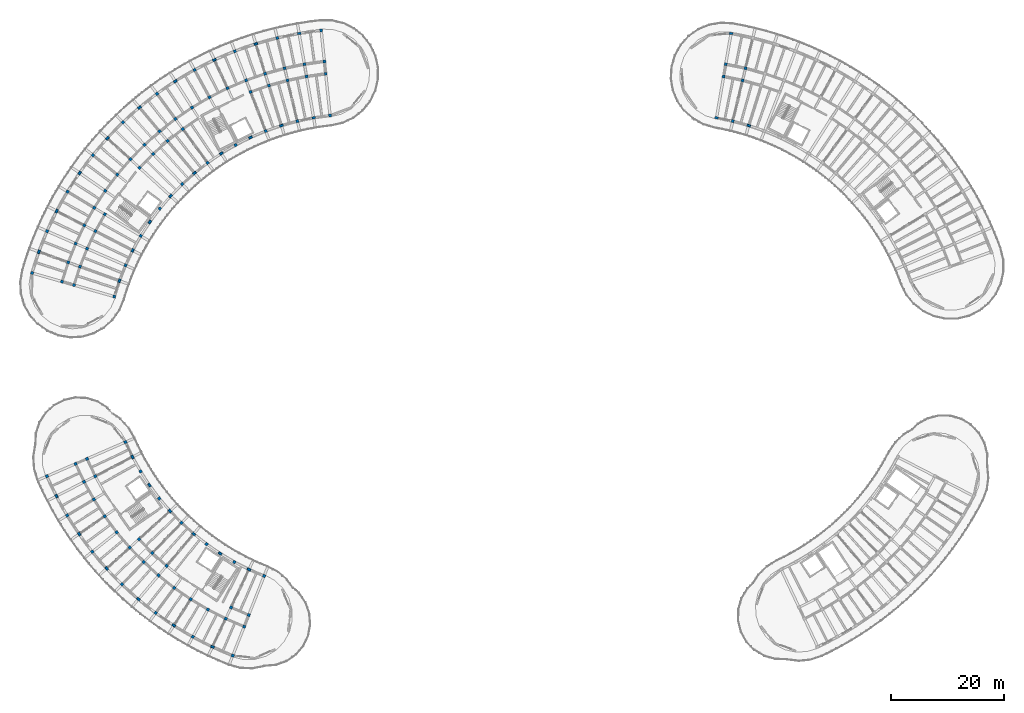
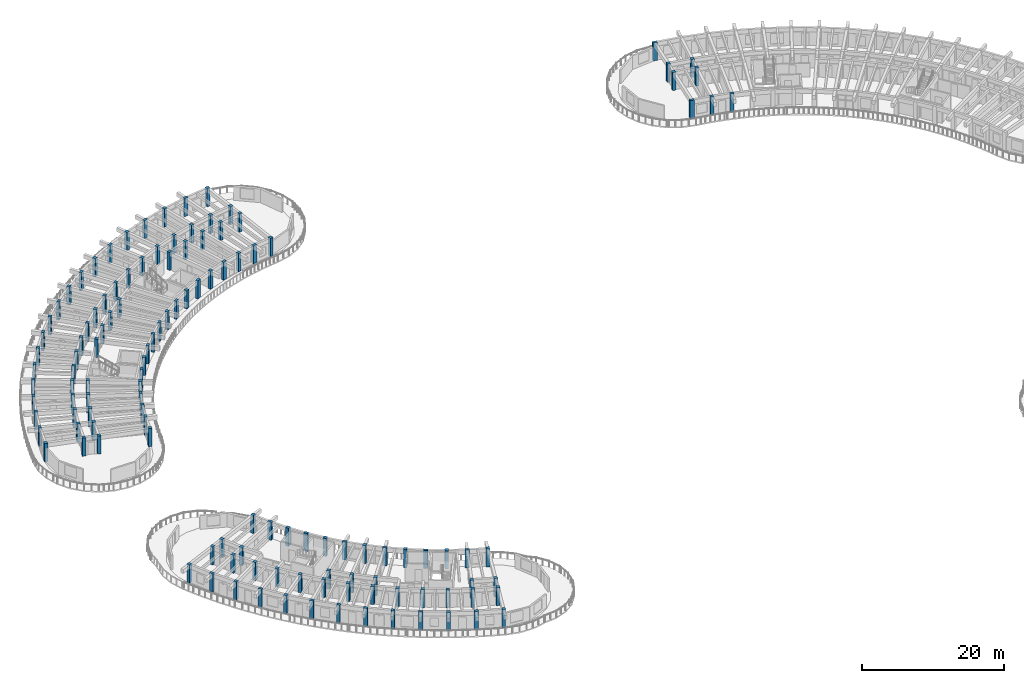
# One storey, part 1 of 56: 125 columns.
"""IFC4 building model written with IfcOpenShell, lengths in metres."""

import ifcopenshell
import ifcopenshell.guid

model = None  # the IFC model being written
_history = None  # IfcOwnerHistory: only IFC2X3 demands one
_inside = {}  # id of a spatial element -> (the spatial element, [elements in it])
_under = {}  # id of a project, library or spatial element -> (it, [spatial elements below it])
_declared = {}  # id of a project -> (the project, [libraries it declares])
_typed = {}  # id of a type object -> (the type object, [elements of that type])
_made_of = {}  # id of a material, layer set ... -> (it, [elements and type objects made of it])


def new_model(schema):
    """Start an empty IFC model of exactly this schema.

    Asked for "IFC4X3", IfcOpenShell would pick the latest addendum, in which some entities
    have other attributes; the version numbers below select the first issue.
    IFC2X3 requires an IfcOwnerHistory on every rooted entity: one is made here for all.
    """
    global model, _history
    if schema == "IFC4X3":
        model = ifcopenshell.file(schema_version=(4, 3, 0, 0))
    else:
        model = ifcopenshell.file(schema=schema)
    _inside.clear()
    _under.clear()
    _declared.clear()
    _typed.clear()
    _made_of.clear()
    _history = None
    if model.schema == "IFC2X3":
        org = make("IfcOrganization", Name="unknown")
        user = make(
            "IfcPersonAndOrganization",
            ThePerson=make("IfcPerson", FamilyName="unknown"),
            TheOrganization=org,
        )
        app = make(
            "IfcApplication",
            ApplicationDeveloper=org,
            Version="unknown",
            ApplicationFullName="unknown",
            ApplicationIdentifier="unknown",
        )
        _history = make(
            "IfcOwnerHistory",
            OwningUser=user,
            OwningApplication=app,
            ChangeAction="ADDED",
            CreationDate=0,
        )
    return model


def make(cls, **values):
    """One entity of the class cls with the attributes given. An attribute that is None is left unset."""
    return model.create_entity(
        cls, **{name: value for name, value in values.items() if value is not None}
    )


def rooted(cls, **values):
    """An entity with a GlobalId (a new one), such as an element, a storey or a relation."""
    return make(cls, GlobalId=ifcopenshell.guid.new(), OwnerHistory=_history, **values)


def si_unit(unit_type, name, prefix=None):
    """IfcSIUnit, for example si_unit("LENGTHUNIT", "METRE", prefix="MILLI")."""
    return make("IfcSIUnit", UnitType=unit_type, Prefix=prefix, Name=name)


def assignment(units):
    """IfcUnitAssignment: the units of a project."""
    return None if units is None else make("IfcUnitAssignment", Units=units)


def point(xyz):
    """IfcCartesianPoint."""
    return None if xyz is None else make("IfcCartesianPoint", Coordinates=xyz)


def direction(xyz):
    """IfcDirection."""
    return None if xyz is None else make("IfcDirection", DirectionRatios=xyz)


def frame(location, z_axis=None, x_axis=None):
    """IfcAxis2Placement3D, a coordinate frame: its origin and axes. An axis left out is left unset."""
    return make(
        "IfcAxis2Placement3D",
        Location=point(location),
        Axis=direction(z_axis),
        RefDirection=direction(x_axis),
    )


def frame_2d(location, x_axis=None):
    """IfcAxis2Placement2D, a coordinate frame in the plane: its origin and x axis."""
    return make(
        "IfcAxis2Placement2D", Location=point(location), RefDirection=direction(x_axis)
    )


def origin():
    """The frame at (0, 0, 0) with its axes left unset."""
    return frame((0.0, 0.0, 0.0))


def origin_2d():
    """The frame at (0, 0) in the plane with its x axis left unset."""
    return frame_2d((0.0, 0.0))


def place(relative_to, where):
    """IfcLocalPlacement: puts the frame where relative to a parent placement (None: the world)."""
    return make(
        "IfcLocalPlacement", PlacementRelTo=relative_to, RelativePlacement=where
    )


def context(
    kind, dimensions, precision=None, world=None, true_north=None, identifier=None
):
    """IfcGeometricRepresentationContext, for example the 3D "Model" context."""
    return make(
        "IfcGeometricRepresentationContext",
        ContextIdentifier=identifier,
        ContextType=kind,
        CoordinateSpaceDimension=dimensions,
        Precision=precision,
        WorldCoordinateSystem=world,
        TrueNorth=true_north,
    )


def subcontext(parent, identifier, kind, view, scale=None):
    """IfcGeometricRepresentationSubContext, for example "Body" below "Model"."""
    return make(
        "IfcGeometricRepresentationSubContext",
        ContextIdentifier=identifier,
        ContextType=kind,
        ParentContext=parent,
        TargetScale=scale,
        TargetView=view,
    )


def project(units=None, contexts=None):
    """IfcProject with its units and contexts."""
    return rooted(
        "IfcProject",
        Name="project",
        RepresentationContexts=contexts,
        UnitsInContext=assignment(units),
    )


def spatial(cls, under=None, at=None, **own):
    """A site, building, storey or space (cls), placed at a placement, below another one or the project."""
    s = rooted(cls, ObjectPlacement=at, **own)
    if under is not None:
        _under.setdefault(under.id(), (under, []))[1].append(s)
    return s


def profile(cls, at=None, kind="AREA", **sizes):
    """A parametric profile (cls). Its sizes go by their IFC names, for example OverallWidth=200.0."""
    return make(cls, ProfileType=kind, Position=at, **sizes)


def rectangle(**sizes):
    """IfcRectangleProfileDef."""
    return profile("IfcRectangleProfileDef", **sizes)


def extrude(swept, where, along, depth):
    """IfcExtrudedAreaSolid: the profile swept, set in the frame where, extruded along a direction by depth."""
    return make(
        "IfcExtrudedAreaSolid",
        SweptArea=swept,
        Position=where,
        ExtrudedDirection=direction(along),
        Depth=depth,
    )


def shape(context_of_items, identifier, shape_type, items):
    """IfcShapeRepresentation: the items that make up one representation, for example the "Body"."""
    return make(
        "IfcShapeRepresentation",
        ContextOfItems=context_of_items,
        RepresentationIdentifier=identifier,
        RepresentationType=shape_type,
        Items=items,
    )


def material(Name=None, Category=None):
    """IfcMaterial."""
    return make("IfcMaterial", Name=Name, Category=Category)


def material_profile(
    of_material, cross_section, Name=None, Category=None, Priority=None
):
    """IfcMaterialProfile: a cross section and its material."""
    return make(
        "IfcMaterialProfile",
        Name=Name,
        Material=of_material,
        Profile=cross_section,
        Priority=Priority,
        Category=Category,
    )


def profile_set(profiles, Name=None, composite=None):
    """IfcMaterialProfileSet."""
    return make(
        "IfcMaterialProfileSet",
        Name=Name,
        MaterialProfiles=profiles,
        CompositeProfile=composite,
    )


def made_of(thing, what):
    """Note that an element or type object is made of a material, layer set ...; save() writes the relation."""
    if what is not None:
        _made_of.setdefault(what.id(), (what, []))[1].append(thing)
    return thing


def type_object(cls, material=None, **own):
    """A type object (cls), such as IfcWallType, which elements share."""
    return made_of(rooted(cls, **own), material)


def element(
    cls,
    number,
    at=None,
    inside=None,
    cuts=None,
    type_object=None,
    material=None,
    context=None,
    identifier="Body",
    shape_type=None,
    held_by="IfcProductDefinitionShape",
    body=None,
    shapes=None,
    **own,
):
    """One element of the class cls, such as IfcWall. Its Tag is "e" and its number.

    at: its placement. inside: the storey or other place that contains it. cuts: it is an
    opening in that element (IfcRelVoidsElement). A single representation is given by context,
    identifier, shape_type and body (its items); several are given by shapes. held_by: the class
    of the entity that holds the representations. save() writes the other relations.
    """
    e = rooted(cls, Tag="e%d" % number, ObjectPlacement=at, **own)
    if body is not None:
        shapes = [shape(context, identifier, shape_type, body)]
    if shapes is not None:
        e.Representation = make(held_by, Representations=shapes)
    if inside is not None:
        _inside.setdefault(inside.id(), (inside, []))[1].append(e)
    if cuts is not None:
        rooted(
            "IfcRelVoidsElement", RelatingBuildingElement=cuts, RelatedOpeningElement=e
        )
    if type_object is not None:
        _typed.setdefault(type_object.id(), (type_object, []))[1].append(e)
    return made_of(e, material)


def aggregate(whole, parts):
    """IfcRelAggregates: a whole, such as a stair, and the parts it consists of."""
    return rooted("IfcRelAggregates", RelatingObject=whole, RelatedObjects=parts)


def save(model, path):
    """Write the relations noted so far, then the file.

    IfcRelAggregates (storeys below a building ...), IfcRelContainedInSpatialStructure (elements
    in a storey), IfcRelDefinesByType, IfcRelAssociatesMaterial and IfcRelDeclares: one each for
    every whole, place, type object, material and project.
    """
    for whole, parts in _under.values():
        aggregate(whole, parts)
    for where, things in _inside.values():
        rooted(
            "IfcRelContainedInSpatialStructure",
            RelatedElements=things,
            RelatingStructure=where,
        )
    for kind, things in _typed.values():
        rooted("IfcRelDefinesByType", RelatedObjects=things, RelatingType=kind)
    for what, things in _made_of.values():
        rooted("IfcRelAssociatesMaterial", RelatedObjects=things, RelatingMaterial=what)
    for by, libraries in _declared.values():
        rooted("IfcRelDeclares", RelatingContext=by, RelatedDefinitions=libraries)
    model.write(path)


model = new_model("IFC4")

# Units and contexts
model_context = context("Model", 3, precision=1e-05, world=origin(), true_north=direction((0.0, 1.0)))
body_context = subcontext(model_context, "Body", "Model", "MODEL_VIEW")
ifc_project = project(units=[si_unit("LENGTHUNIT", "METRE"), si_unit("AREAUNIT", "SQUARE_METRE"), si_unit("VOLUMEUNIT", "CUBIC_METRE"), si_unit("PLANEANGLEUNIT", "RADIAN"), si_unit("MASSUNIT", "GRAM", prefix="KILO")], contexts=[model_context])

# Site, building, storey
site_placement = place(None, origin())
site = spatial("IfcSite", under=ifc_project, at=site_placement, CompositionType="ELEMENT")
building_placement = place(site_placement, origin())
building = spatial("IfcBuilding", under=site, at=building_placement, Name="Tanwirah Colonnade Gardens", CompositionType="ELEMENT")
storey_placement = place(building_placement, frame((0.0, 0.0, 29.0)))
storey = spatial("IfcBuildingStorey", under=building, at=storey_placement, Name="L08", CompositionType="ELEMENT", Elevation=29.0)

# Columns
ifc_material = material(Name="Precast concrete C40/50", Category="concrete")
ifc_material_profile_1 = material_profile(ifc_material, rectangle(XDim=0.510009765625, YDim=0.510009765625, at=origin_2d()), Name="PC-COL 510x510")
ifc_profile_set_1 = profile_set([ifc_material_profile_1], Name="Precast concrete C40/50")
column_type_1 = type_object("IfcColumnType", Name="C-PC420", PredefinedType="COLUMN", material=ifc_profile_set_1)
for number, where, z_axis, x_axis, name in (
    (1, (24.236572265625, 46.775634765625, 0.0), (0.0, 0.0, 1.0), (-0.917060074385, -0.398749068925, 0.0), "Block C L08 Column 2-R0"),
    (2, (17.450439453125, 43.824951171875, 0.0), (0.0, 0.0, 1.0), (-0.917060074385, -0.398749068925, 0.0), "Block C L08 Column 2-R1"),
    (3, (15.432861328125, 42.947509765625, 0.0), (0.0, 0.0, 1.0), (-0.917060074385, -0.398749068925, 0.0), "Block C L08 Column 2-R2"),
    (4, (10.38916015625, 40.75439453125, 0.0), (0.0, 0.0, 1.0), (-0.917060074385, -0.398749068925, 0.0), "Block C L08 Column 2-R3"),
    (5, (18.904541015625, 40.75927734375, 0.0), (0.0, 0.0, 1.0), (-0.889017141486, -0.457873915117, 0.0), "Block C L08 Column 3-R1"),
    (6, (16.94873046875, 39.751953125, 0.0), (0.0, 0.0, 1.0), (-0.889017141486, -0.457873915117, 0.0), "Block C L08 Column 3-R2"),
    (7, (26.89892578125, 41.6064453125, 0.0), (0.0, 0.0, 1.0), (-0.857167300702, -0.51503807491, 0.0), "Block C L08 Column 4-R0"),
    (8, (18.670166015625, 36.662109375, 0.0), (0.0, 0.0, 1.0), (-0.857167300702, -0.51503807491, 0.0), "Block C L08 Column 4-R2"),
    (9, (13.95556640625, 33.82958984375, 0.0), (0.0, 0.0, 1.0), (-0.857167300702, -0.51503807491, 0.0), "Block C L08 Column 4-R3"),
    (10, (20.590087890625, 33.691650390625, 0.0), (0.0, 0.0, 1.0), (-0.821646937942, -0.569996762596, 0.0), "Block C L08 Column 5-R2"),
    (11, (30.213134765625, 36.829345703125, 0.0), (0.0, 0.0, 1.0), (-0.782608156852, -0.622514636638, 0.0), "Block C L08 Column 6-R0"),
    (12, (22.699951171875, 30.85302734375, 0.0), (0.0, 0.0, 1.0), (-0.782608156852, -0.622514636638, 0.0), "Block C L08 Column 6-R2"),
    (13, (18.395751953125, 27.42919921875, 0.0), (0.0, 0.0, 1.0), (-0.782608156852, -0.622514636638, 0.0), "Block C L08 Column 6-R3"),
    (14, (26.61962890625, 29.6376953125, 0.0), (0.0, 0.0, 1.0), (-0.740218127487, -0.672366807435, 0.0), "Block C L08 Column 7-R1"),
    (15, (24.9912109375, 28.15869140625, 0.0), (0.0, 0.0, 1.0), (-0.740218127487, -0.672366807435, 0.0), "Block C L08 Column 7-R2"),
    (16, (34.122314453125, 32.525390625, 0.0), (0.0, 0.0, 1.0), (-0.694658370459, -0.719339800339, 0.0), "Block C L08 Column 8-R0"),
    (17, (28.98193359375, 27.2021484375, 0.0), (0.0, 0.0, 1.0), (-0.694658370459, -0.719339800339, 0.0), "Block C L08 Column 8-R1"),
    (18, (27.45361328125, 25.61962890625, 0.0), (0.0, 0.0, 1.0), (-0.694658370459, -0.719339800339, 0.0), "Block C L08 Column 8-R2"),
    (19, (23.633056640625, 21.663330078125, 0.0), (0.0, 0.0, 1.0), (-0.694658370459, -0.719339800339, 0.0), "Block C L08 Column 8-R3"),
    (20, (31.49853515625, 24.926513671875, 0.0), (0.0, 0.0, 1.0), (-0.646123979643, -0.763232469783, 0.0), "Block C L08 Column 9-R1"),
    (21, (30.076904296875, 23.247314453125, 0.0), (0.0, 0.0, 1.0), (-0.646123979643, -0.763232469783, 0.0), "Block C L08 Column 9-R2"),
    (22, (38.56005859375, 28.7685546875, 0.0), (0.0, 0.0, 1.0), (-0.594822786751, -0.803856860617, 0.0), "Block C L08 Column 10-R0"),
    (23, (32.849853515625, 21.051513671875, 0.0), (0.0, 0.0, 1.0), (-0.594822786751, -0.803856860617, 0.0), "Block C L08 Column 10-R2"),
    (24, (29.578369140625, 16.63037109375, 0.0), (0.0, 0.0, 1.0), (-0.594822786751, -0.803856860617, 0.0), "Block C L08 Column 10-R3"),
    (25, (35.76025390625, 19.041748046875, 0.0), (0.0, 0.0, 1.0), (-0.540974471368, -0.841039012964, 0.0), "Block C L08 Column 11-R2"),
    (26, (43.4501953125, 25.623046875, 0.0), (0.0, 0.0, 1.0), (-0.484809620246, -0.874619707139, 0.0), "Block C L08 Column 12-R0"),
    (27, (38.796142578125, 17.226806640625, 0.0), (0.0, 0.0, 1.0), (-0.484809620246, -0.874619707139, 0.0), "Block C L08 Column 12-R2"),
    (28, (36.129638671875, 12.41650390625, 0.0), (0.0, 0.0, 1.0), (-0.484809620246, -0.874619707139, 0.0), "Block C L08 Column 12-R3"),
    (29, (42.88232421875, 17.60400390625, 0.0), (0.0, 0.0, 1.0), (-0.426568739901, -0.904455145454, 0.0), "Block C L08 Column 13-R1"),
    (30, (41.94384765625, 15.6142578125, 0.0), (0.0, 0.0, 1.0), (-0.426568739901, -0.904455145454, 0.0), "Block C L08 Column 13-R2"),
    (31, (48.708984375, 23.142822265625, 0.0), (0.0, 0.0, 1.0), (-0.366501226724, -0.930417567982, 0.0), "Block C L08 Column 14-R0"),
    (32, (45.996826171875, 16.2578125, 0.0), (0.0, 0.0, 1.0), (-0.366501226724, -0.930417567982, 0.0), "Block C L08 Column 14-R1"),
    (33, (45.190673828125, 14.2109375, 0.0), (0.0, 0.0, 1.0), (-0.366501226724, -0.930417567982, 0.0), "Block C L08 Column 14-R2"),
    (34, (43.1748046875, 9.09375, 0.0), (0.0, 0.0, 1.0), (-0.366501226724, -0.930417567982, 0.0), "Block C L08 Column 14-R3"),
):
    element("IfcColumn", number, at=place(storey_placement, frame(where, z_axis=z_axis, x_axis=x_axis)), inside=storey, type_object=column_type_1, Name=name, PredefinedType="COLUMN", context=body_context, shape_type="SweptSolid", body=[
        extrude(rectangle(XDim=0.510009765625, YDim=0.510009765625, at=origin_2d()), origin(), (0.0, 0.0, 1.0), 3.114990234375),
    ])
ifc_material_profile_2 = material_profile(ifc_material, rectangle(XDim=0.5, YDim=0.5, at=origin_2d()), Name="PC-COL 500x500")
ifc_profile_set_2 = profile_set([ifc_material_profile_2], Name="Precast concrete C40/50")
column_type_2 = type_object("IfcColumnType", Name="C-PC500", PredefinedType="COLUMN", material=ifc_profile_set_2)
for number, where, z_axis, x_axis, name in (
    (35, (60.353759765625, 104.406494140625, 0.0), (0.0, 0.0, 1.0), (-0.104528463268, 0.994521895368, 0.0), "Block A L08 Column 0-R0"),
    (36, (59.580078125, 111.765869140625, 0.0), (0.0, 0.0, 1.0), (-0.104528463268, 0.994521895368, 0.0), "Block A L08 Column 0-R1"),
    (37, (59.350341796875, 113.953857421875, 0.0), (0.0, 0.0, 1.0), (-0.104528463268, 0.994521895368, 0.0), "Block A L08 Column 0-R2"),
    (38, (58.775390625, 119.423828125, 0.0), (0.0, 0.0, 1.0), (-0.104528463268, 0.994521895368, 0.0), "Block A L08 Column 0-R3"),
    (39, (56.1943359375, 111.296875, 0.0), (0.0, 0.0, 1.0), (-0.169827298811, 0.985473839622, 0.0), "Block A L08 Column 1-R1"),
    (40, (55.82080078125, 113.46484375, 0.0), (0.0, 0.0, 1.0), (-0.169827298811, 0.985473839622, 0.0), "Block A L08 Column 1-R2"),
    (41, (54.58154296875, 103.411865234375, 0.0), (0.0, 0.0, 1.0), (-0.23438809799, 0.972143106503, 0.0), "Block A L08 Column 2-R0"),
    (42, (52.846923828125, 110.605712890625, 0.0), (0.0, 0.0, 1.0), (-0.23438809799, 0.972143106503, 0.0), "Block A L08 Column 2-R1"),
    (43, (52.331298828125, 112.744384765625, 0.0), (0.0, 0.0, 1.0), (-0.23438809799, 0.972143106503, 0.0), "Block A L08 Column 2-R2"),
    (44, (51.042236328125, 118.091064453125, 0.0), (0.0, 0.0, 1.0), (-0.23438809799, 0.972143106503, 0.0), "Block A L08 Column 2-R3"),
    (45, (49.55224609375, 109.6953125, 0.0), (0.0, 0.0, 1.0), (-0.297930292146, 0.954587628781, 0.0), "Block A L08 Column 3-R1"),
    (46, (48.89697265625, 111.79541015625, 0.0), (0.0, 0.0, 1.0), (-0.297930292146, 0.954587628781, 0.0), "Block A L08 Column 3-R2"),
    (47, (48.989990234375, 101.666748046875, 0.0), (0.0, 0.0, 1.0), (-0.360177739278, 0.932883699144, 0.0), "Block A L08 Column 4-R0"),
    (48, (46.32470703125, 108.570068359375, 0.0), (0.0, 0.0, 1.0), (-0.360177739278, 0.932883699144, 0.0), "Block A L08 Column 4-R1"),
    (49, (45.532470703125, 110.622314453125, 0.0), (0.0, 0.0, 1.0), (-0.360177739278, 0.932883699144, 0.0), "Block A L08 Column 4-R2"),
    (50, (43.551513671875, 115.753173828125, 0.0), (0.0, 0.0, 1.0), (-0.360177739278, 0.932883699144, 0.0), "Block A L08 Column 4-R3"),
    (51, (42.25244140625, 109.230224609375, 0.0), (0.0, 0.0, 1.0), (-0.420859924104, 0.907125638643, 0.0), "Block A L08 Column 5-R2"),
    (52, (43.6767578125, 99.20166015625, 0.0), (0.0, 0.0, 1.0), (-0.479713133669, 0.877425386791, 0.0), "Block A L08 Column 6-R0"),
    (53, (39.071533203125, 107.624755859375, 0.0), (0.0, 0.0, 1.0), (-0.479713133669, 0.877425386791, 0.0), "Block A L08 Column 6-R2"),
    (54, (36.43310546875, 112.45068359375, 0.0), (0.0, 0.0, 1.0), (-0.479713133669, 0.877425386791, 0.0), "Block A L08 Column 6-R3"),
    (55, (36.003173828125, 105.8134765625, 0.0), (0.0, 0.0, 1.0), (-0.536481603385, 0.843912015099, 0.0), "Block A L08 Column 7-R2"),
    (56, (38.733642578125, 96.05908203125, 0.0), (0.0, 0.0, 1.0), (-0.590918628541, 0.806731166153, 0.0), "Block A L08 Column 8-R0"),
    (57, (34.36083984375, 102.029052734375, 0.0), (0.0, 0.0, 1.0), (-0.590918628541, 0.806731166153, 0.0), "Block A L08 Column 8-R1"),
    (58, (33.060791015625, 103.8037109375, 0.0), (0.0, 0.0, 1.0), (-0.590918628541, 0.806731166153, 0.0), "Block A L08 Column 8-R2"),
    (59, (29.810791015625, 108.24072265625, 0.0), (0.0, 0.0, 1.0), (-0.590918628541, 0.806731166153, 0.0), "Block A L08 Column 8-R3"),
    (60, (31.67138671875, 99.91943359375, 0.0), (0.0, 0.0, 1.0), (-0.642787636427, 0.766044420681, 0.0), "Block A L08 Column 9-R1"),
    (61, (30.25732421875, 101.604736328125, 0.0), (0.0, 0.0, 1.0), (-0.642787636427, 0.766044420681, 0.0), "Block A L08 Column 9-R2"),
    (62, (34.24658203125, 92.294189453125, 0.0), (0.0, 0.0, 1.0), (-0.691863214436, 0.722028595355, 0.0), "Block A L08 Column 10-R0"),
    (63, (29.126953125, 97.63720703125, 0.0), (0.0, 0.0, 1.0), (-0.691863214436, 0.722028595355, 0.0), "Block A L08 Column 10-R1"),
    (64, (27.604736328125, 99.2255859375, 0.0), (0.0, 0.0, 1.0), (-0.691863214436, 0.722028595355, 0.0), "Block A L08 Column 10-R2"),
    (65, (23.799560546875, 103.19677734375, 0.0), (0.0, 0.0, 1.0), (-0.691863214436, 0.722028595355, 0.0), "Block A L08 Column 10-R3"),
    (66, (26.73828125, 95.1923828125, 0.0), (0.0, 0.0, 1.0), (-0.737932089665, 0.674874974378, 0.0), "Block A L08 Column 11-R1"),
    (67, (25.11474609375, 96.677001953125, 0.0), (0.0, 0.0, 1.0), (-0.737932089665, 0.674874974378, 0.0), "Block A L08 Column 11-R2"),
    (68, (30.293701171875, 87.971923828125, 0.0), (0.0, 0.0, 1.0), (-0.780794055756, 0.624788478204, 0.0), "Block A L08 Column 12-R0"),
    (69, (22.798095703125, 93.9697265625, 0.0), (0.0, 0.0, 1.0), (-0.780794055756, 0.624788478204, 0.0), "Block A L08 Column 12-R2"),
    (70, (18.503662109375, 97.40625, 0.0), (0.0, 0.0, 1.0), (-0.780794055756, 0.624788478204, 0.0), "Block A L08 Column 12-R3"),
    (71, (20.664794921875, 91.115966796875, 0.0), (0.0, 0.0, 1.0), (-0.82026284295, 0.57198677299, 0.0), "Block A L08 Column 13-R2"),
    (72, (26.943359375, 83.167236328125, 0.0), (0.0, 0.0, 1.0), (-0.856166927587, 0.516699324663, 0.0), "Block A L08 Column 14-R0"),
    (73, (20.607666015625, 86.990966796875, 0.0), (0.0, 0.0, 1.0), (-0.856166927587, 0.516699324663, 0.0), "Block A L08 Column 14-R1"),
    (74, (18.72412109375, 88.127685546875, 0.0), (0.0, 0.0, 1.0), (-0.856166927587, 0.516699324663, 0.0), "Block A L08 Column 14-R2"),
    (75, (14.015380859375, 90.969482421875, 0.0), (0.0, 0.0, 1.0), (-0.856166927587, 0.516699324663, 0.0), "Block A L08 Column 14-R3"),
    (76, (18.93896484375, 84.0078125, 0.0), (0.0, 0.0, 1.0), (-0.888350277506, 0.459166401705, 0.0), "Block A L08 Column 15-R1"),
    (77, (16.984619140625, 85.017822265625, 0.0), (0.0, 0.0, 1.0), (-0.888350277506, 0.459166401705, 0.0), "Block A L08 Column 15-R2"),
    (78, (24.25390625, 77.9638671875, 0.0), (0.0, 0.0, 1.0), (-0.916673030138, 0.399638030994, 0.0), "Block A L08 Column 16-R0"),
    (79, (17.470458984375, 80.921142578125, 0.0), (0.0, 0.0, 1.0), (-0.916673030138, 0.399638030994, 0.0), "Block A L08 Column 16-R1"),
    (80, (15.453857421875, 81.800537109375, 0.0), (0.0, 0.0, 1.0), (-0.916673030138, 0.399638030994, 0.0), "Block A L08 Column 16-R2"),
    (81, (10.412109375, 83.99853515625, 0.0), (0.0, 0.0, 1.0), (-0.916673030138, 0.399638030994, 0.0), "Block A L08 Column 16-R3"),
    (82, (16.20849609375, 77.74462890625, 0.0), (0.0, 0.0, 1.0), (-0.941012100316, 0.338372911236, 0.0), "Block A L08 Column 17-R1"),
    (83, (14.13818359375, 78.489013671875, 0.0), (0.0, 0.0, 1.0), (-0.941012100316, 0.338372911236, 0.0), "Block A L08 Column 17-R2"),
    (84, (22.27197265625, 72.4521484375, 0.0), (0.0, 0.0, 1.0), (-0.961261715181, 0.275637288708, 0.0), "Block A L08 Column 18-R0"),
    (85, (15.15869140625, 74.49169921875, 0.0), (0.0, 0.0, 1.0), (-0.961261715181, 0.275637288708, 0.0), "Block A L08 Column 18-R1"),
    (86, (13.043701171875, 75.09814453125, 0.0), (0.0, 0.0, 1.0), (-0.961261715181, 0.275637288708, 0.0), "Block A L08 Column 18-R2"),
    (87, (7.7568359375, 76.6142578125, 0.0), (0.0, 0.0, 1.0), (-0.961261715181, 0.275637288708, 0.0), "Block A L08 Column 18-R3"),
    (88, (131.41845703125, 103.411865234375, 0.0), (0.0, 0.0, 1.0), (0.234388030122, 0.972143122866, 0.0), "Block B L08 Column 16-R0"),
    (89, (133.153076171875, 110.605712890625, 0.0), (0.0, 0.0, 1.0), (0.234388030122, 0.972143122866, 0.0), "Block B L08 Column 16-R1"),
    (90, (133.668701171875, 112.744384765625, 0.0), (0.0, 0.0, 1.0), (0.234388030122, 0.972143122866, 0.0), "Block B L08 Column 16-R2"),
    (91, (129.8056640625, 111.296875, 0.0), (0.0, 0.0, 1.0), (0.169827230012, 0.985473851478, 0.0), "Block B L08 Column 17-R1"),
    (92, (130.17919921875, 113.46484375, 0.0), (0.0, 0.0, 1.0), (0.169827230012, 0.985473851478, 0.0), "Block B L08 Column 17-R2"),
):
    element("IfcColumn", number, at=place(storey_placement, frame(where, z_axis=z_axis, x_axis=x_axis)), inside=storey, type_object=column_type_2, Name=name, PredefinedType="COLUMN", context=body_context, shape_type="SweptSolid", body=[
        extrude(rectangle(XDim=0.5, YDim=0.5, at=origin_2d()), origin(), (0.0, 0.0, 1.0), 3.114990234375),
    ])
ifc_material_profile_3 = material_profile(ifc_material, rectangle(XDim=0.389892578125, YDim=0.6298828125, at=origin_2d()), Name="PC-PIL 390x630")
ifc_profile_set_3 = profile_set([ifc_material_profile_3], Name="Precast concrete C40/50")
column_type_3 = type_object("IfcColumnType", Name="PIL-360", PredefinedType="PILASTER", material=ifc_profile_set_3)
for number, where, z_axis, x_axis, name in (
    (93, (57.451171875, 104.00439453125, 0.0), (0.0, 0.0, 1.0), (-0.169827298811, 0.985473839622, 0.0), "Block A L08 Column 1-R0"),
    (94, (54.88671875, 118.885009765625, 0.0), (0.0, 0.0, 1.0), (-0.169827298811, 0.985473839622, 0.0), "Block A L08 Column 1-R3"),
    (95, (51.757080078125, 102.63134765625, 0.0), (0.0, 0.0, 1.0), (-0.297930292146, 0.954587628781, 0.0), "Block A L08 Column 3-R0"),
    (96, (47.25830078125, 117.045654296875, 0.0), (0.0, 0.0, 1.0), (-0.297930292146, 0.954587628781, 0.0), "Block A L08 Column 3-R3"),
    (97, (46.292724609375, 100.521728515625, 0.0), (0.0, 0.0, 1.0), (-0.420859924104, 0.907125638643, 0.0), "Block A L08 Column 5-R0"),
    (98, (39.937744140625, 114.21923828125, 0.0), (0.0, 0.0, 1.0), (-0.420859924104, 0.907125638643, 0.0), "Block A L08 Column 5-R3"),
    (99, (41.1533203125, 97.7119140625, 0.0), (0.0, 0.0, 1.0), (-0.536481603385, 0.843912015099, 0.0), "Block A L08 Column 7-R0"),
    (100, (33.052490234375, 110.455078125, 0.0), (0.0, 0.0, 1.0), (-0.536481603385, 0.843912015099, 0.0), "Block A L08 Column 7-R3"),
    (101, (36.427978515625, 94.250732421875, 0.0), (0.0, 0.0, 1.0), (-0.642787636427, 0.766044420681, 0.0), "Block A L08 Column 9-R0"),
    (102, (26.721923828125, 105.81787109375, 0.0), (0.0, 0.0, 1.0), (-0.642787636427, 0.766044420681, 0.0), "Block A L08 Column 9-R3"),
    (103, (32.198974609375, 90.1982421875, 0.0), (0.0, 0.0, 1.0), (-0.737932089665, 0.674874974378, 0.0), "Block A L08 Column 11-R0"),
    (104, (21.05615234375, 100.388916015625, 0.0), (0.0, 0.0, 1.0), (-0.737932089665, 0.674874974378, 0.0), "Block A L08 Column 11-R3"),
    (105, (28.539306640625, 85.624755859375, 0.0), (0.0, 0.0, 1.0), (-0.82026284295, 0.57198677299, 0.0), "Block A L08 Column 13-R0"),
    (106, (16.1533203125, 94.26171875, 0.0), (0.0, 0.0, 1.0), (-0.82026284295, 0.57198677299, 0.0), "Block A L08 Column 13-R3"),
    (107, (25.512939453125, 80.60986328125, 0.0), (0.0, 0.0, 1.0), (-0.888350277506, 0.459166401705, 0.0), "Block A L08 Column 15-R0"),
    (108, (12.0986328125, 87.54345703125, 0.0), (0.0, 0.0, 1.0), (-0.888350277506, 0.459166401705, 0.0), "Block A L08 Column 15-R3"),
    (109, (23.172119140625, 75.24072265625, 0.0), (0.0, 0.0, 1.0), (-0.941012100316, 0.338372911236, 0.0), "Block A L08 Column 17-R0"),
    (110, (8.962646484375, 80.35009765625, 0.0), (0.0, 0.0, 1.0), (-0.941012100316, 0.338372911236, 0.0), "Block A L08 Column 17-R3"),
    (111, (134.242919921875, 102.63134765625, 0.0), (0.0, 0.0, 1.0), (0.297930225503, 0.954587649581, 0.0), "Block B L08 Column 15-R0"),
    (112, (128.548828125, 104.00439453125, 0.0), (0.0, 0.0, 1.0), (0.169827230012, 0.985473851478, 0.0), "Block B L08 Column 17-R0"),
    (113, (131.11328125, 118.885009765625, 0.0), (0.0, 0.0, 1.0), (0.169827230012, 0.985473851478, 0.0), "Block B L08 Column 17-R3"),
    (114, (25.483154296875, 44.1474609375, 0.0), (0.0, 0.0, 1.0), (-0.889017141486, -0.457873915117, 0.0), "Block C L08 Column 3-R0"),
    (115, (12.05908203125, 37.233642578125, 0.0), (0.0, 0.0, 1.0), (-0.889017141486, -0.457873915117, 0.0), "Block C L08 Column 3-R3"),
    (116, (28.477783203125, 39.16357421875, 0.0), (0.0, 0.0, 1.0), (-0.821646937942, -0.569996762596, 0.0), "Block C L08 Column 5-R0"),
    (117, (16.071044921875, 30.556640625, 0.0), (0.0, 0.0, 1.0), (-0.821646937942, -0.569996762596, 0.0), "Block C L08 Column 5-R3"),
    (118, (32.097412109375, 34.61328125, 0.0), (0.0, 0.0, 1.0), (-0.740218127487, -0.672366807435, 0.0), "Block C L08 Column 7-R0"),
    (119, (20.919921875, 24.46044921875, 0.0), (0.0, 0.0, 1.0), (-0.740218127487, -0.672366807435, 0.0), "Block C L08 Column 7-R3"),
    (120, (36.27978515625, 30.57421875, 0.0), (0.0, 0.0, 1.0), (-0.646123979643, -0.763232469783, 0.0), "Block C L08 Column 9-R0"),
    (121, (26.5234375, 19.049560546875, 0.0), (0.0, 0.0, 1.0), (-0.646123979643, -0.763232469783, 0.0), "Block C L08 Column 9-R3"),
    (122, (40.95361328125, 27.11572265625, 0.0), (0.0, 0.0, 1.0), (-0.540974471368, -0.841039012964, 0.0), "Block C L08 Column 11-R0"),
    (123, (32.784912109375, 14.416015625, 0.0), (0.0, 0.0, 1.0), (-0.540974471368, -0.841039012964, 0.0), "Block C L08 Column 11-R3"),
    (124, (46.0390625, 24.296875, 0.0), (0.0, 0.0, 1.0), (-0.426568739901, -0.904455145454, 0.0), "Block C L08 Column 13-R0"),
    (125, (39.597900390625, 10.6396484375, 0.0), (0.0, 0.0, 1.0), (-0.426568739901, -0.904455145454, 0.0), "Block C L08 Column 13-R3"),
):
    element("IfcColumn", number, at=place(storey_placement, frame(where, z_axis=z_axis, x_axis=x_axis)), inside=storey, type_object=column_type_3, Name=name, PredefinedType="PILASTER", context=body_context, shape_type="SweptSolid", body=[
        extrude(rectangle(XDim=0.389892578125, YDim=0.6298828125, at=origin_2d()), origin(), (0.0, 0.0, 1.0), 3.114990234375),
    ])

save(model, "model.ifc")
